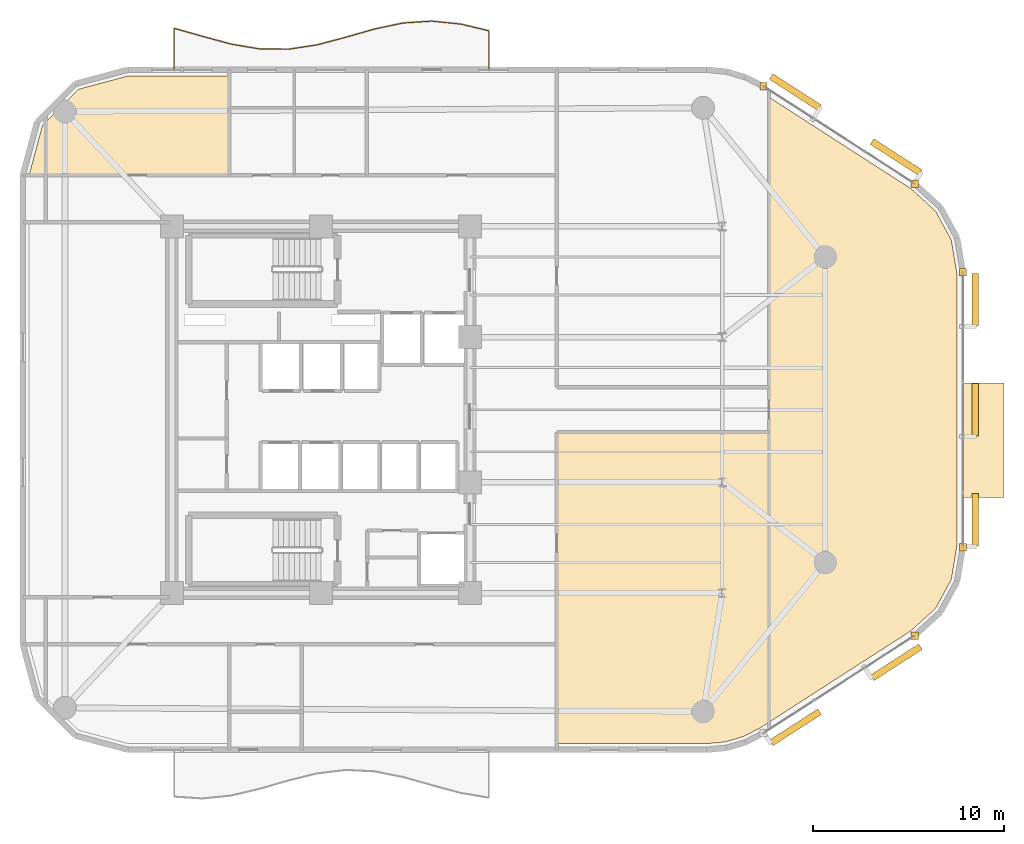
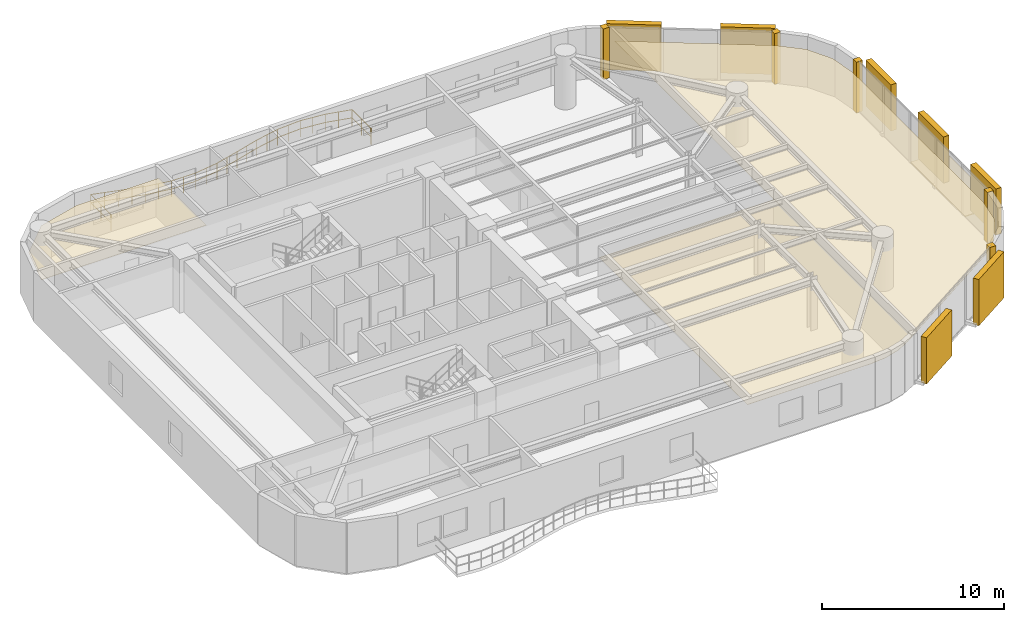
# One storey, part 14 of 14: 9 coverings, 7 shading devices, 1 railing.
"""IFC4 building model written with IfcOpenShell, lengths in metres."""

from ifc_helpers import new_model, si_unit, direction, frame, origin, origin_2d, place, context, subcontext, project, spatial, polyline, rectangle, circle, outline, extrude, material, layer, layer_set, type_object, element, save


model = new_model("IFC4")

# Units and contexts
model_context = context("Model", 3, precision=1e-05, world=origin(), true_north=direction((0.0, 1.0)))
body_context = subcontext(model_context, "Body", "Model", "MODEL_VIEW")
ifc_project = project(units=[si_unit("LENGTHUNIT", "METRE"), si_unit("AREAUNIT", "SQUARE_METRE"), si_unit("VOLUMEUNIT", "CUBIC_METRE"), si_unit("PLANEANGLEUNIT", "RADIAN"), si_unit("MASSUNIT", "GRAM", prefix="KILO")], contexts=[model_context])

# Site, building, storey
site_placement = place(None, origin())
site = spatial("IfcSite", under=ifc_project, at=site_placement, CompositionType="ELEMENT")
building_placement = place(site_placement, origin())
building = spatial("IfcBuilding", under=site, at=building_placement, Name="An Khanh Terracotta Commons", CompositionType="ELEMENT")
storey_placement = place(building_placement, frame((0.0, 0.0, 154.60009765625)))
storey = spatial("IfcBuildingStorey", under=building, at=storey_placement, Name="L40", CompositionType="ELEMENT", Elevation=154.60009765625)

# Coverings
ifc_material_1 = material(Name="Perforated Mineral-Fibre Acoustic Tile")
ifc_layer_1 = layer(ifc_material_1, 0.02001953125, Name="Perforated Mineral-Fibre Acoustic Tile")
ifc_layer_set_1 = layer_set([ifc_layer_1], Name="Perforated Mineral-Fibre Acoustic Tile")
covering_type_1 = type_object("IfcCoveringType", Name="CEIL-ACOUSTIC-18", PredefinedType="CEILING", material=ifc_layer_set_1)
covering_1_placement = place(storey_placement, frame((0.0, 0.0, 2.64990234375)))
element("IfcCovering", 1, at=covering_1_placement, inside=storey, type_object=covering_type_1, Name="L40 Riverfront Reading Hall Ceiling", PredefinedType="CEILING", context=body_context, shape_type="SweptSolid", body=[
    extrude(outline(polyline([(52.39892578125, 7.35302734375), (51.510009765625, 6.89306640625), (50.56396484375, 6.615966796875), (49.56689453125, 6.52001953125), (41.75, 6.52001953125), (41.75, 11.719970703125), (41.75, 14.179931640625), (41.75, 22.820068359375), (52.85009765625, 22.820068359375), (52.85009765625, 7.64306640625), (52.39892578125, 7.35302734375)])), origin(), (0.0, 0.0, 1.0), 0.02001953125),
])
covering_2_placement = place(storey_placement, frame((0.0, 0.0, 2.64990234375)))
element("IfcCovering", 2, at=covering_2_placement, inside=storey, type_object=covering_type_1, Name="L40 Riverfront Reference Library Ceiling", PredefinedType="CEILING", context=body_context, shape_type="SweptSolid", body=[
    extrude(outline(polyline([(60.281982421875, 35.569091796875), (61.571044921875, 34.39697265625), (62.39111328125, 32.89111328125), (62.679931640625, 31.173095703125), (62.679931640625, 16.826904296875), (62.39111328125, 15.10888671875), (61.571044921875, 13.60302734375), (60.281982421875, 12.430908203125), (52.85009765625, 7.64306640625), (52.85009765625, 22.820068359375), (52.85009765625, 25.179931640625), (52.85009765625, 40.35693359375), (60.281982421875, 35.569091796875)])), origin(), (0.0, 0.0, 1.0), 0.02001953125),
])
covering_3_placement = place(storey_placement, frame((0.0, 0.0, 2.64990234375)))
element("IfcCovering", 3, at=covering_3_placement, inside=storey, type_object=covering_type_1, Name="L40 Student Reading Library Ceiling", PredefinedType="CEILING", context=body_context, shape_type="SweptSolid", body=[
    extrude(outline(polyline([(19.342041015625, 41.47998046875), (24.60009765625, 41.47998046875), (24.60009765625, 39.800048828125), (24.60009765625, 36.280029296875), (15.0, 36.280029296875), (14.1259765625, 36.280029296875), (14.823974609375, 38.884033203125), (16.716064453125, 40.77587890625), (19.342041015625, 41.47998046875)])), origin(), (0.0, 0.0, 1.0), 0.02001953125),
])
ifc_material_2 = material(Name="Fired Terracotta Rainscreen Cladding", Category="masonry")
ifc_layer_2 = layer(ifc_material_2, 0.080078125, Name="Fired Terracotta Rainscreen Cladding")
ifc_layer_set_2 = layer_set([ifc_layer_2], Name="Fired Terracotta Rainscreen Cladding")
covering_type_2 = type_object("IfcCoveringType", Name="COV-JAMB-TERRA", PredefinedType="CLADDING", material=ifc_layer_set_2)
for number, where, z_axis, x_axis, name in (
    (4, (60.47802734375, 12.176025390625, 0.0), (0.0, 0.0, 1.0), (1.0, 0.0, 0.0), "L40 CW-03 Curtain-Wall Jamb Closure JB"),
    (5, (63.0, 16.800048828125, 0.0), (0.0, 0.0, 1.0), (1.0, 0.0, 0.0), "L40 CW-03 Curtain-Wall Jamb Closure JA"),
    (6, (63.0, 31.199951171875, 0.0), (0.0, 0.0, 1.0), (1.0, 0.0, 0.0), "L40 CW-03 Curtain-Wall Jamb Closure JB"),
    (7, (60.47802734375, 35.823974609375, 0.0), (0.0, 0.0, 1.0), (1.0, 0.0, 0.0), "L40 CW-03 Curtain-Wall Jamb Closure JA"),
    (8, (52.56005859375, 40.924072265625, 0.0), (0.0, 0.0, 1.0), (1.0, 0.0, 0.0), "L40 CW-03 Curtain-Wall Jamb Closure JB"),
):
    element("IfcCovering", number, at=place(storey_placement, frame(where, z_axis=z_axis, x_axis=x_axis)), inside=storey, type_object=covering_type_2, Name=name, PredefinedType="CLADDING", context=body_context, shape_type="SweptSolid", body=[
        extrude(rectangle(XDim=0.3798828125, YDim=0.3798828125, at=origin_2d()), origin(), (0.0, 0.0, 1.0), 3.39990234375),
    ])
ifc_material_3 = material(Name="Planted Garden Waterproofing Membrane")
ifc_layer_3 = layer(ifc_material_3, 0.080078125, Name="Planted Garden Waterproofing Membrane")
ifc_layer_set_3 = layer_set([ifc_layer_3], Name="Planted Garden Waterproofing Membrane")
covering_type_3 = type_object("IfcCoveringType", Name="COV-ROOFING-GREEN", PredefinedType="ROOFING", material=ifc_layer_set_3)
covering_4_placement = place(storey_placement, origin())
element("IfcCovering", 9, at=covering_4_placement, inside=storey, type_object=covering_type_3, Name="L40 Shifted Box Roof Waterproofing (L39)", PredefinedType="ROOFING", context=body_context, shape_type="SweptSolid", body=[
    extrude(outline(polyline([(63.0, 19.39990234375), (65.14990234375, 19.39990234375), (65.14990234375, 25.39990234375), (63.0, 25.39990234375), (63.0, 19.39990234375)])), origin(), (0.0, 0.0, 1.0), 0.059814453125),
])

# Railing
ifc_material_4 = material(Name="Brushed Stainless Steel 316", Category="steel")
railing_type = type_object("IfcRailingType", Name="RAIL-BALUSTRADE-1100", PredefinedType="BALUSTRADE", material=ifc_material_4)
railing_placement = place(storey_placement, frame((38.199951171875, 41.739990234375, 0.0)))
element("IfcRailing", 10, at=railing_placement, inside=storey, type_object=railing_type, Name="L40 N Wave Balcony Guard Balustrade", PredefinedType="BALUSTRADE", context=body_context, shape_type="SweptSolid", body=[
    extrude(circle(Radius=0.02392578125, at=origin_2d()), frame((0.0, 0.0, 1.076171875), z_axis=(0.0, 1.0, 0.0), x_axis=(-1.0, 0.0, 0.0)), (0.0, 0.0, 1.0), 2.091064453125),
    extrude(circle(Radius=0.02392578125, at=origin_2d()), frame((0.0, 0.0, 0.52587890625), z_axis=(0.0, 1.0, 0.0), x_axis=(-1.0, 0.0, 0.0)), (0.0, 0.0, 1.0), 2.091064453125),
    extrude(circle(Radius=0.02392578125, at=origin_2d()), frame((0.0, 2.091064453125, 1.076171875), z_axis=(-0.973263214687, 0.229692653206, 0.0), x_axis=(-0.229692653206, -0.973263214687, 0.0)), (0.0, 0.0, 1.0), 1.541259765625),
    extrude(circle(Radius=0.02392578125, at=origin_2d()), frame((0.0, 2.091064453125, 0.52587890625), z_axis=(-0.973263214687, 0.229692653206, 0.0), x_axis=(-0.229692653206, -0.973263214687, 0.0)), (0.0, 0.0, 1.0), 1.541259765625),
    extrude(circle(Radius=0.02392578125, at=origin_2d()), frame((-1.5, 2.445068359375, 1.076171875), z_axis=(-0.994849482387, 0.101363244788, 0.0), x_axis=(-0.101363244788, -0.994849482387, 0.0)), (0.0, 0.0, 1.0), 1.5078125),
    extrude(circle(Radius=0.02392578125, at=origin_2d()), frame((-1.5, 2.445068359375, 0.52587890625), z_axis=(-0.994849482387, 0.101363244788, 0.0), x_axis=(-0.101363244788, -0.994849482387, 0.0)), (0.0, 0.0, 1.0), 1.5078125),
    extrude(circle(Radius=0.02392578125, at=origin_2d()), frame((-3.0, 2.597900390625, 1.076171875), z_axis=(-0.99787689467, -0.065128358523, 0.0), x_axis=(0.065128358523, -0.99787689467, 0.0)), (0.0, 0.0, 1.0), 1.503173828125),
    extrude(circle(Radius=0.02392578125, at=origin_2d()), frame((-3.0, 2.597900390625, 0.52587890625), z_axis=(-0.99787689467, -0.065128358523, 0.0), x_axis=(0.065128358523, -0.99787689467, 0.0)), (0.0, 0.0, 1.0), 1.503173828125),
    extrude(circle(Radius=0.02392578125, at=origin_2d()), frame((-4.5, 2.5, 1.076171875), z_axis=(-0.978275241205, -0.207310280607, 0.0), x_axis=(0.207310280607, -0.978275241205, 0.0)), (0.0, 0.0, 1.0), 1.533203125),
    extrude(circle(Radius=0.02392578125, at=origin_2d()), frame((-4.5, 2.5, 0.52587890625), z_axis=(-0.978275241205, -0.207310280607, 0.0), x_axis=(0.207310280607, -0.978275241205, 0.0)), (0.0, 0.0, 1.0), 1.533203125),
    extrude(circle(Radius=0.02392578125, at=origin_2d()), frame((-6.0, 2.18212890625, 1.076171875), z_axis=(-0.961251897699, -0.275671524047, 0.0), x_axis=(0.275671524047, -0.961251897699, 0.0)), (0.0, 0.0, 1.0), 1.560546875),
    extrude(circle(Radius=0.02392578125, at=origin_2d()), frame((-6.0, 2.18212890625, 0.52587890625), z_axis=(-0.961251897699, -0.275671524047, 0.0), x_axis=(0.275671524047, -0.961251897699, 0.0)), (0.0, 0.0, 1.0), 1.560546875),
    extrude(circle(Radius=0.02392578125, at=origin_2d()), frame((-7.5, 1.751953125, 1.076171875), z_axis=(-0.966718963822, -0.255840663277, 0.0), x_axis=(0.255840663277, -0.966718963822, 0.0)), (0.0, 0.0, 1.0), 1.5517578125),
    extrude(circle(Radius=0.02392578125, at=origin_2d()), frame((-7.5, 1.751953125, 0.52587890625), z_axis=(-0.966718963822, -0.255840663277, 0.0), x_axis=(0.255840663277, -0.966718963822, 0.0)), (0.0, 0.0, 1.0), 1.5517578125),
    extrude(circle(Radius=0.02392578125, at=origin_2d()), frame((-9.0, 1.35498046875, 1.076171875), z_axis=(-0.988545890906, -0.15092058035, 0.0), x_axis=(0.15092058035, -0.988545890906, 0.0)), (0.0, 0.0, 1.0), 1.517333984375),
    extrude(circle(Radius=0.02392578125, at=origin_2d()), frame((-9.0, 1.35498046875, 0.52587890625), z_axis=(-0.988545890906, -0.15092058035, 0.0), x_axis=(0.15092058035, -0.988545890906, 0.0)), (0.0, 0.0, 1.0), 1.517333984375),
    extrude(circle(Radius=0.02392578125, at=origin_2d()), frame((-10.5, 1.1259765625, 1.076171875), z_axis=(-0.999956968224, 0.009276944529, 0.0), x_axis=(-0.009276944529, -0.999956968224, 0.0)), (0.0, 0.0, 1.0), 1.5),
    extrude(circle(Radius=0.02392578125, at=origin_2d()), frame((-10.5, 1.1259765625, 0.52587890625), z_axis=(-0.999956968224, 0.009276944529, 0.0), x_axis=(-0.009276944529, -0.999956968224, 0.0)), (0.0, 0.0, 1.0), 1.5),
    extrude(circle(Radius=0.02392578125, at=origin_2d()), frame((-12.0, 1.139892578125, 1.076171875), z_axis=(-0.986053503704, 0.166428626846, 0.0), x_axis=(-0.166428626846, -0.986053503704, 0.0)), (0.0, 0.0, 1.0), 1.521240234375),
    extrude(circle(Radius=0.02392578125, at=origin_2d()), frame((-12.0, 1.139892578125, 0.52587890625), z_axis=(-0.986053503704, 0.166428626846, 0.0), x_axis=(-0.166428626846, -0.986053503704, 0.0)), (0.0, 0.0, 1.0), 1.521240234375),
    extrude(circle(Radius=0.02392578125, at=origin_2d()), frame((-13.5, 1.39306640625, 1.076171875), z_axis=(-0.964948425307, 0.262439586375, 0.0), x_axis=(-0.262439586375, -0.964948425307, 0.0)), (0.0, 0.0, 1.0), 1.554443359375),
    extrude(circle(Radius=0.02392578125, at=origin_2d()), frame((-13.5, 1.39306640625, 0.52587890625), z_axis=(-0.964948425307, 0.262439586375, 0.0), x_axis=(-0.262439586375, -0.964948425307, 0.0)), (0.0, 0.0, 1.0), 1.554443359375),
    extrude(circle(Radius=0.02392578125, at=origin_2d()), frame((-15.0, 1.801025390625, 1.076171875), z_axis=(-0.962282666556, 0.272051593719, 0.0), x_axis=(-0.272051593719, -0.962282666556, 0.0)), (0.0, 0.0, 1.0), 1.558837890625),
    extrude(circle(Radius=0.02392578125, at=origin_2d()), frame((-15.0, 1.801025390625, 0.52587890625), z_axis=(-0.962282666556, 0.272051593719, 0.0), x_axis=(-0.272051593719, -0.962282666556, 0.0)), (0.0, 0.0, 1.0), 1.558837890625),
    extrude(circle(Radius=0.02392578125, at=origin_2d()), frame((-16.5, 2.22509765625, 1.076171875), z_axis=(0.0, -1.0, 0.0), x_axis=(1.0, 0.0, 0.0)), (0.0, 0.0, 1.0), 2.22509765625),
    extrude(circle(Radius=0.02392578125, at=origin_2d()), frame((-16.5, 2.22509765625, 0.52587890625), z_axis=(0.0, -1.0, 0.0), x_axis=(1.0, 0.0, 0.0)), (0.0, 0.0, 1.0), 2.22509765625),
    extrude(circle(Radius=0.02099609375, at=origin_2d()), origin(), (0.0, 0.0, 1.0), 1.052001953125),
    extrude(circle(Radius=0.02099609375, at=origin_2d()), frame((0.0, 1.04541015625, 0.0)), (0.0, 0.0, 1.0), 1.052001953125),
    extrude(circle(Radius=0.02099609375, at=origin_2d()), frame((0.0, 2.091064453125, 0.0)), (0.0, 0.0, 1.0), 1.052001953125),
    extrude(circle(Radius=0.02099609375, at=origin_2d()), frame((-0.75, 2.26806640625, 0.0)), (0.0, 0.0, 1.0), 1.052001953125),
    extrude(circle(Radius=0.02099609375, at=origin_2d()), frame((-1.5, 2.445068359375, 0.0)), (0.0, 0.0, 1.0), 1.052001953125),
    extrude(circle(Radius=0.02099609375, at=origin_2d()), frame((-2.25, 2.521484375, 0.0)), (0.0, 0.0, 1.0), 1.052001953125),
    extrude(circle(Radius=0.02099609375, at=origin_2d()), frame((-3.0, 2.597900390625, 0.0)), (0.0, 0.0, 1.0), 1.052001953125),
    extrude(circle(Radius=0.02099609375, at=origin_2d()), frame((-3.75, 2.548828125, 0.0)), (0.0, 0.0, 1.0), 1.052001953125),
    extrude(circle(Radius=0.02099609375, at=origin_2d()), frame((-4.5, 2.5, 0.0)), (0.0, 0.0, 1.0), 1.052001953125),
    extrude(circle(Radius=0.02099609375, at=origin_2d()), frame((-5.25, 2.341064453125, 0.0)), (0.0, 0.0, 1.0), 1.052001953125),
    extrude(circle(Radius=0.02099609375, at=origin_2d()), frame((-6.0, 2.18212890625, 0.0)), (0.0, 0.0, 1.0), 1.052001953125),
    extrude(circle(Radius=0.02099609375, at=origin_2d()), frame((-6.75, 1.967041015625, 0.0)), (0.0, 0.0, 1.0), 1.052001953125),
    extrude(circle(Radius=0.02099609375, at=origin_2d()), frame((-7.5, 1.751953125, 0.0)), (0.0, 0.0, 1.0), 1.052001953125),
    extrude(circle(Radius=0.02099609375, at=origin_2d()), frame((-8.25, 1.553466796875, 0.0)), (0.0, 0.0, 1.0), 1.052001953125),
    extrude(circle(Radius=0.02099609375, at=origin_2d()), frame((-9.0, 1.35498046875, 0.0)), (0.0, 0.0, 1.0), 1.052001953125),
    extrude(circle(Radius=0.02099609375, at=origin_2d()), frame((-9.75, 1.240478515625, 0.0)), (0.0, 0.0, 1.0), 1.052001953125),
    extrude(circle(Radius=0.02099609375, at=origin_2d()), frame((-10.5, 1.1259765625, 0.0)), (0.0, 0.0, 1.0), 1.052001953125),
    extrude(circle(Radius=0.02099609375, at=origin_2d()), frame((-11.25, 1.1328125, 0.0)), (0.0, 0.0, 1.0), 1.052001953125),
    extrude(circle(Radius=0.02099609375, at=origin_2d()), frame((-12.0, 1.139892578125, 0.0)), (0.0, 0.0, 1.0), 1.052001953125),
    extrude(circle(Radius=0.02099609375, at=origin_2d()), frame((-12.75, 1.2666015625, 0.0)), (0.0, 0.0, 1.0), 1.052001953125),
    extrude(circle(Radius=0.02099609375, at=origin_2d()), frame((-13.5, 1.39306640625, 0.0)), (0.0, 0.0, 1.0), 1.052001953125),
    extrude(circle(Radius=0.02099609375, at=origin_2d()), frame((-14.25, 1.59716796875, 0.0)), (0.0, 0.0, 1.0), 1.052001953125),
    extrude(circle(Radius=0.02099609375, at=origin_2d()), frame((-15.0, 1.801025390625, 0.0)), (0.0, 0.0, 1.0), 1.052001953125),
    extrude(circle(Radius=0.02099609375, at=origin_2d()), frame((-15.75, 2.01318359375, 0.0)), (0.0, 0.0, 1.0), 1.052001953125),
    extrude(circle(Radius=0.02099609375, at=origin_2d()), frame((-16.5, 2.22509765625, 0.0)), (0.0, 0.0, 1.0), 1.052001953125),
    extrude(circle(Radius=0.02099609375, at=origin_2d()), frame((-16.5, 1.112548828125, 0.0)), (0.0, 0.0, 1.0), 1.052001953125),
    extrude(circle(Radius=0.02099609375, at=origin_2d()), frame((-16.5, 0.0, 0.0)), (0.0, 0.0, 1.0), 1.052001953125),
])

# Shading devices
ifc_material_5 = material(Name="Extruded Fired Terracotta", Category="masonry")
shading_device_type = type_object("IfcShadingDeviceType", Name="Terracotta Baguette Screen Assembly", PredefinedType="USERDEFINED", material=ifc_material_5)
for number, where, z_axis, x_axis, name in (
    (11, (54.23193359375, 7.3798828125, 0.14990234375), (0.0, 0.0, 1.0), (0.840702081986, 0.541497931062, 0.0), "L40 Terracotta Baguette Screen 1"),
    (12, (59.510009765625, 10.780029296875, 0.14990234375), (0.0, 0.0, 1.0), (0.840702081986, 0.541497931062, 0.0), "L40 Terracotta Baguette Screen 3"),
):
    element("IfcShadingDevice", number, at=place(storey_placement, frame(where, z_axis=z_axis, x_axis=x_axis)), inside=storey, type_object=shading_device_type, Name=name, ObjectType="BAGUETTE", PredefinedType="USERDEFINED", context=body_context, shape_type="SweptSolid", body=[
        extrude(rectangle(XDim=3.01904296875, YDim=0.35009765625, at=origin_2d()), origin(), (0.0, 0.0, 1.0), 3.10009765625),
    ])
for number, where, z_axis, x_axis, name in (
    (13, (63.64990234375, 18.239990234375, 0.14990234375), (0.0, 0.0, 1.0), (0.0, 1.0, 0.0), "L40 Terracotta Baguette Screen 1"),
    (14, (63.64990234375, 24.0, 0.14990234375), (0.0, 0.0, 1.0), (0.0, 1.0, 0.0), "L40 Terracotta Baguette Screen 3"),
    (15, (63.64990234375, 29.760009765625, 0.14990234375), (0.0, 0.0, 1.0), (0.0, 1.0, 0.0), "L40 Terracotta Baguette Screen 5"),
):
    element("IfcShadingDevice", number, at=place(storey_placement, frame(where, z_axis=z_axis, x_axis=x_axis)), inside=storey, type_object=shading_device_type, Name=name, ObjectType="BAGUETTE", PredefinedType="USERDEFINED", context=body_context, shape_type="SweptSolid", body=[
        extrude(rectangle(XDim=2.760009765625, YDim=0.35009765625, at=origin_2d()), origin(), (0.0, 0.0, 1.0), 3.10009765625),
    ])
for number, where, z_axis, x_axis, name in (
    (16, (59.510009765625, 37.219970703125, 0.14990234375), (0.0, 0.0, 1.0), (-0.840702081986, 0.541497931062, 0.0), "L40 Terracotta Baguette Screen 1"),
    (17, (54.23193359375, 40.6201171875, 0.14990234375), (0.0, 0.0, 1.0), (-0.840702081986, 0.541497931062, 0.0), "L40 Terracotta Baguette Screen 3"),
):
    element("IfcShadingDevice", number, at=place(storey_placement, frame(where, z_axis=z_axis, x_axis=x_axis)), inside=storey, type_object=shading_device_type, Name=name, ObjectType="BAGUETTE", PredefinedType="USERDEFINED", context=body_context, shape_type="SweptSolid", body=[
        extrude(rectangle(XDim=3.01904296875, YDim=0.35009765625, at=origin_2d()), origin(), (0.0, 0.0, 1.0), 3.10009765625),
    ])

save(model, "model.ifc")
